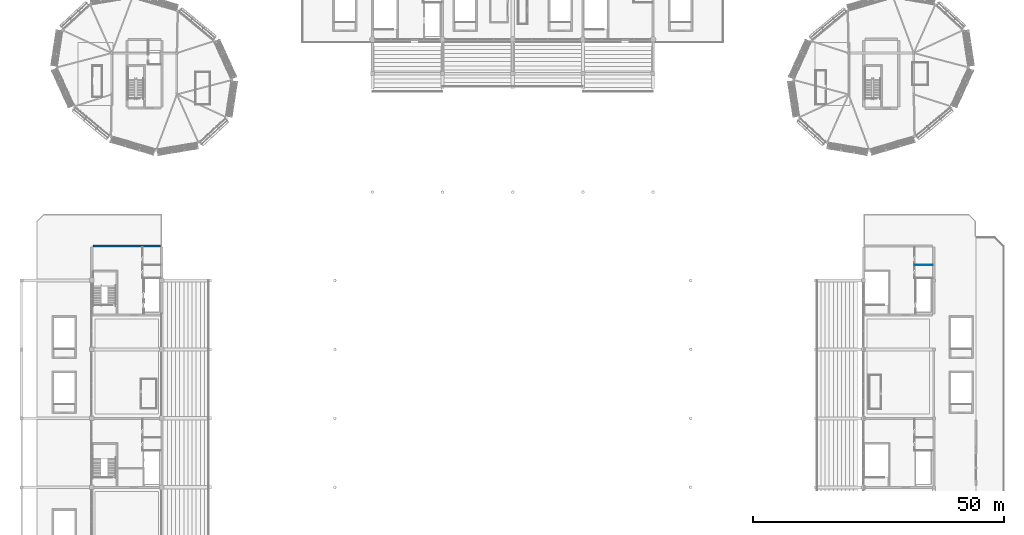
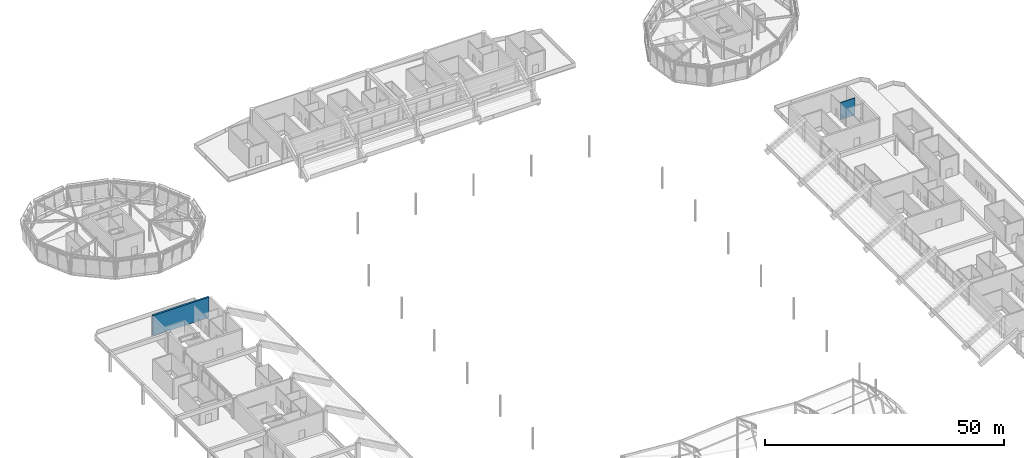
# One storey, part 75 of 90: 2 walls.
"""IFC4 building model written with IfcOpenShell, lengths in metres."""

from ifc_helpers import new_model, si_unit, direction, frame, frame_2d, origin, place, context, subcontext, project, spatial, rectangle, extrude, material, layer, layer_set, type_object, element, save


model = new_model("IFC4")

# Units and contexts
model_context = context("Model", 3, precision=1e-05, world=origin(), true_north=direction((0.0, 1.0)))
body_context = subcontext(model_context, "Body", "Model", "MODEL_VIEW")
ifc_project = project(units=[si_unit("LENGTHUNIT", "METRE"), si_unit("AREAUNIT", "SQUARE_METRE"), si_unit("VOLUMEUNIT", "CUBIC_METRE"), si_unit("PLANEANGLEUNIT", "RADIAN"), si_unit("MASSUNIT", "GRAM", prefix="KILO")], contexts=[model_context])

# Site, building, storey
site_placement = place(None, origin())
site = spatial("IfcSite", under=ifc_project, at=site_placement, CompositionType="ELEMENT")
building_placement = place(site_placement, origin())
building = spatial("IfcBuilding", under=site, at=building_placement, Name="Linyun Crest Stadium", CompositionType="ELEMENT")
storey_placement = place(building_placement, frame((0.0, 0.0, 21.0)))
storey = spatial("IfcBuildingStorey", under=building, at=storey_placement, Name="L05", CompositionType="ELEMENT", Elevation=21.0)

# Walls
ifc_material_1 = material(Name="Concrete C50", Category="concrete")
ifc_layer_1 = layer(ifc_material_1, 0.449951171875)
ifc_layer_set_1 = layer_set([ifc_layer_1], Name="Concrete C50")
wall_type_1 = type_object("IfcWallType", Name="CW03", PredefinedType="SHEAR", material=ifc_layer_set_1)
wall_1_placement = place(storey_placement, frame((-83.77490234375, 50.25, 0.0), z_axis=(0.0, 0.0, 1.0), x_axis=(1.0, 0.0, 0.0)))
element("IfcWall", 1, at=wall_1_placement, inside=storey, type_object=wall_type_1, Name="Core shear wall CW03 CORE-W3 L05.4", PredefinedType="SHEAR", context=body_context, shape_type="SweptSolid", body=[
    extrude(rectangle(XDim=13.5498046875, YDim=0.449951171875, at=frame_2d((6.77490234375, 0.0))), origin(), (0.0, 0.0, 1.0), 5.219970703125),
])
ifc_material_2 = material(Name="Moisture-resistant ceramic-tiled wet-room wall")
ifc_layer_2 = layer(ifc_material_2, 0.139892578125)
ifc_layer_set_2 = layer_set([ifc_layer_2], Name="Moisture-resistant ceramic-tiled wet-room wall")
wall_type_2 = type_object("IfcWallType", Name="PW15", PredefinedType="PARTITIONING", material=ifc_layer_set_2)
wall_2_placement = place(storey_placement, frame((80.219970703125, 46.449951171875, 0.0), z_axis=(0.0, 0.0, 1.0), x_axis=(1.0, 0.0, 0.0)))
element("IfcWall", 2, at=wall_2_placement, inside=storey, type_object=wall_type_2, Name="Enclosure partition PW15 L05 78", PredefinedType="PARTITIONING", context=body_context, shape_type="SweptSolid", body=[
    extrude(rectangle(XDim=3.554931640625, YDim=0.139892578125, at=frame_2d((1.77734375, 0.0))), origin(), (0.0, 0.0, 1.0), 4.419921875),
])

save(model, "model.ifc")
